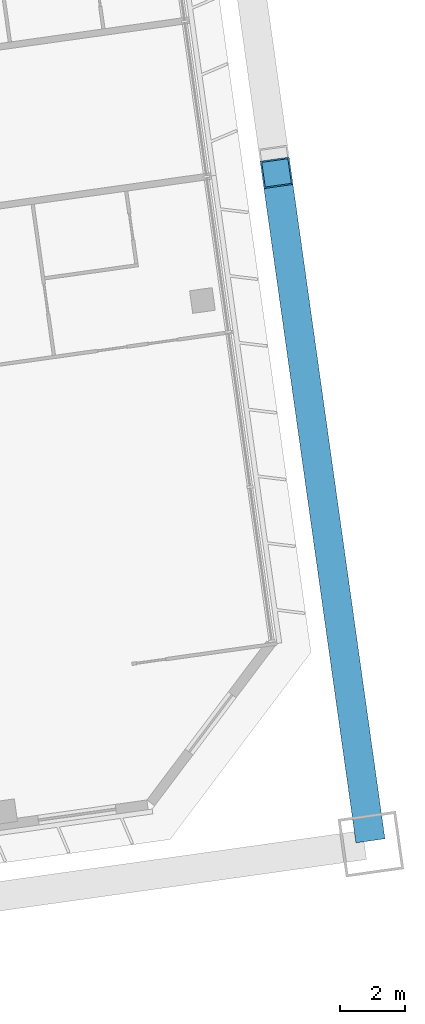
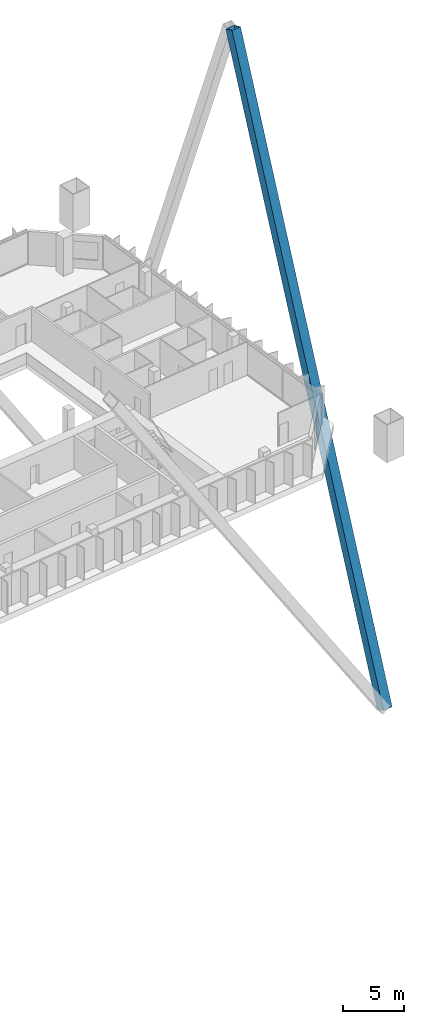
# One storey, part 32 of 49: 1 member.
"""IFC4 building model written with IfcOpenShell, lengths in metres."""

from ifc_helpers import new_model, si_unit, direction, frame, origin, origin_2d, place, context, subcontext, project, spatial, hollow_rectangle, extrude, material, material_profile, profile_set, type_object, element, save


model = new_model("IFC4")

# Units and contexts
model_context = context("Model", 3, precision=1e-05, world=origin(), true_north=direction((0.0, 1.0)))
body_context = subcontext(model_context, "Body", "Model", "MODEL_VIEW")
ifc_project = project(units=[si_unit("LENGTHUNIT", "METRE"), si_unit("AREAUNIT", "SQUARE_METRE"), si_unit("VOLUMEUNIT", "CUBIC_METRE"), si_unit("PLANEANGLEUNIT", "RADIAN"), si_unit("MASSUNIT", "GRAM", prefix="KILO")], contexts=[model_context])

# Site, building, storey
site_placement = place(None, origin())
site = spatial("IfcSite", under=ifc_project, at=site_placement, CompositionType="ELEMENT")
building_placement = place(site_placement, origin())
building = spatial("IfcBuilding", under=site, at=building_placement, Name="Mirante Cascada Hotel Towers", CompositionType="ELEMENT")
storey_placement = place(building_placement, frame((0.0, 0.0, 66.1)))
storey = spatial("IfcBuildingStorey", under=building, at=storey_placement, Name="L13", CompositionType="ELEMENT", Elevation=66.1)

# Member
ifc_material = material(Name="Steel ASTM A572 Gr 50", Category="steel")
ifc_material_profile = material_profile(ifc_material, hollow_rectangle(XDim=0.9, YDim=0.9, WallThickness=0.045, at=origin_2d()), Name="Box brace 900x900x45 ASTM A572 Gr 50")
ifc_profile_set = profile_set([ifc_material_profile], Name="Steel ASTM A572 Gr 50")
member_type = type_object("IfcMemberType", Name="Box brace 900x900x45 ASTM A572 Gr 50", PredefinedType="BRACE", material=ifc_profile_set)
member_placement = place(storey_placement, frame((106.1293, -11.9761, -25.815), z_axis=(-0.0465147, 0.3309699, 0.9424942), x_axis=(-0.9902681, -0.1391729, 0.0)))
element("IfcMember", 1, at=member_placement, inside=storey, type_object=member_type, Name="brace T2 L13 7", PredefinedType="BRACE", context=body_context, shape_type="SweptSolid", body=[
    extrude(hollow_rectangle(XDim=0.9, YDim=0.9, WallThickness=0.045, at=origin_2d()), origin(), (0.0, 0.0, 1.0), 60.7055),
])

save(model, "model.ifc")
